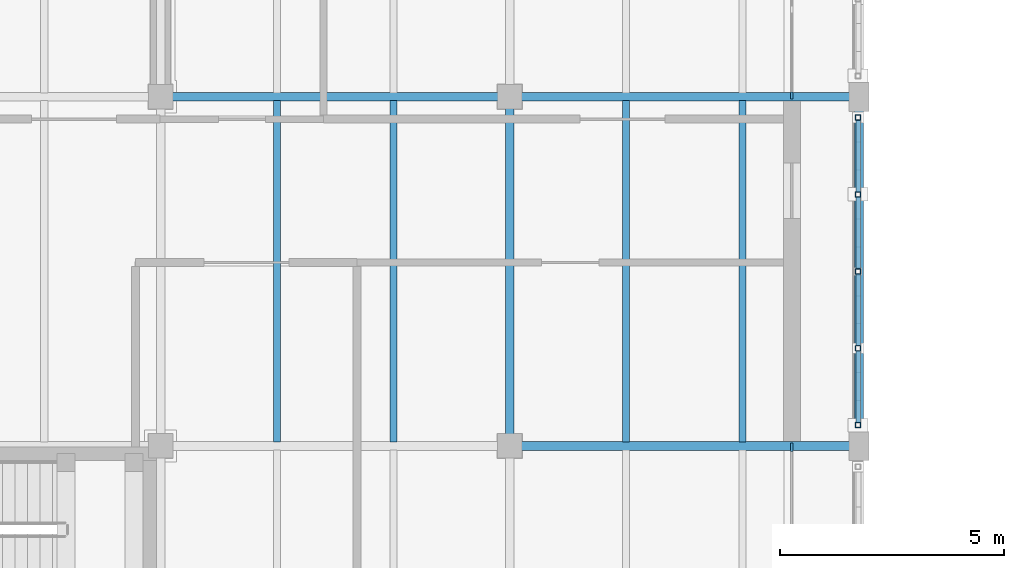
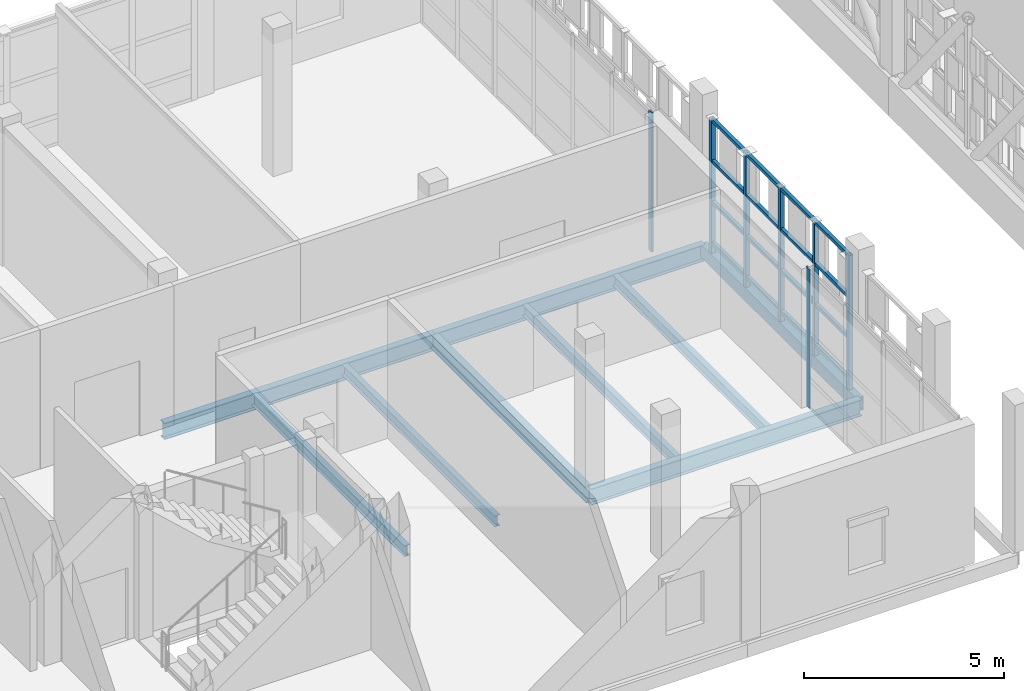
# One storey, part 21 of 119: 23 members, 9 beams, 2 elements without a shape of their own.
"""IFC4 building model written with IfcOpenShell, lengths in metres."""

from ifc_helpers import new_model, si_unit, direction, frame, origin, origin_2d, place, context, subcontext, project, spatial, rectangle, hollow_rectangle, i_section, extrude, material, layer, layer_set, material_profile, profile_set, type_object, element, aggregate, save


model = new_model("IFC4")

# Units and contexts
model_context = context("Model", 3, precision=1e-05, world=origin(), true_north=direction((0.0, 1.0)))
body_context = subcontext(model_context, "Body", "Model", "MODEL_VIEW")
ifc_project = project(units=[si_unit("LENGTHUNIT", "METRE"), si_unit("AREAUNIT", "SQUARE_METRE"), si_unit("VOLUMEUNIT", "CUBIC_METRE"), si_unit("PLANEANGLEUNIT", "RADIAN"), si_unit("MASSUNIT", "GRAM", prefix="KILO")], contexts=[model_context])

# Site, building, storey
site_placement = place(None, origin())
site = spatial("IfcSite", under=ifc_project, at=site_placement, CompositionType="ELEMENT")
building_placement = place(site_placement, origin())
building = spatial("IfcBuilding", under=site, at=building_placement, Name="Celorna Specialist Clinic", CompositionType="ELEMENT")
storey_placement = place(building_placement, frame((0.0, 0.0, 9.60009765625)))
storey = spatial("IfcBuildingStorey", under=building, at=storey_placement, Name="L02", CompositionType="ELEMENT", Elevation=9.60009765625)

# Beams
ifc_material_1 = material(Name="Steel S355", Category="steel")
ifc_material_profile_1 = material_profile(ifc_material_1, i_section(OverallWidth=0.199951171875, OverallDepth=0.5, WebThickness=0.01025390625, FlangeThickness=0.01611328125, at=origin_2d()), Name="IPE 500")
ifc_profile_set_1 = profile_set([ifc_material_profile_1], Name="Steel S355")
beam_type_1 = type_object("IfcBeamType", Name="BM-08", PredefinedType="BEAM", material=ifc_profile_set_1)
for number, where, z_axis, x_axis, name in (
    (1, (39.0, 7.800048828125, -0.510009765625), (1.0, 0.0, 0.0), (0.0, 1.0, 0.0), "Primary girder BM-08 #1721"),
    (2, (31.199951171875, 15.60009765625, -0.510009765625), (1.0, 0.0, 0.0), (0.0, 1.0, 0.0), "Primary girder BM-08 #1726"),
    (3, (39.0, 15.60009765625, -0.510009765625), (1.0, 0.0, 0.0), (0.0, 1.0, 0.0), "Primary girder BM-08 #1727"),
):
    element("IfcBeam", number, at=place(storey_placement, frame(where, z_axis=z_axis, x_axis=x_axis)), inside=storey, type_object=beam_type_1, Name=name, PredefinedType="BEAM", context=body_context, shape_type="SweptSolid", body=[
        extrude(i_section(OverallWidth=0.199951171875, OverallDepth=0.5, WebThickness=0.01025390625, FlangeThickness=0.01611328125, at=origin_2d()), origin(), (0.0, 0.0, 1.0), 7.800048828125),
    ])
ifc_material_profile_2 = material_profile(ifc_material_1, i_section(OverallWidth=0.18994140625, OverallDepth=0.449951171875, WebThickness=0.009521484375, FlangeThickness=0.0146484375, at=origin_2d()), Name="IPE 450")
ifc_profile_set_2 = profile_set([ifc_material_profile_2], Name="Steel S355")
beam_type_2 = type_object("IfcBeamType", Name="BM-09", PredefinedType="BEAM", material=ifc_profile_set_2)
beam_1_placement = place(storey_placement, frame((39.0, 7.800048828125, -0.485107421875), z_axis=(0.0, 1.0, 0.0), x_axis=(-1.0, 0.0, 0.0)))
element("IfcBeam", 4, at=beam_1_placement, inside=storey, type_object=beam_type_2, Name="Transverse girder BM-09 #1766", PredefinedType="BEAM", context=body_context, shape_type="SweptSolid", body=[
    extrude(i_section(OverallWidth=0.18994140625, OverallDepth=0.449951171875, WebThickness=0.009521484375, FlangeThickness=0.0146484375, at=origin_2d()), origin(), (0.0, 0.0, 1.0), 7.800048828125),
])
ifc_material_profile_3 = material_profile(ifc_material_1, i_section(OverallWidth=0.159912109375, OverallDepth=0.330078125, WebThickness=0.007568359375, FlangeThickness=0.011474609375, at=origin_2d()), Name="IPE 330")
ifc_profile_set_3 = profile_set([ifc_material_profile_3], Name="Steel S355")
beam_type_3 = type_object("IfcBeamType", Name="BM-12", PredefinedType="JOIST", material=ifc_profile_set_3)
for number, where, z_axis, x_axis, name in (
    (5, (33.800048828125, 7.887939453125, -0.425048828125), (0.0, 1.0, 0.0), (-1.0, 0.0, 0.0), "Secondary floor joist BM-12 #1809"),
    (6, (36.39990234375, 7.887939453125, -0.425048828125), (0.0, 1.0, 0.0), (-1.0, 0.0, 0.0), "Secondary floor joist BM-12 #1810"),
    (7, (41.60009765625, 7.887939453125, -0.425048828125), (0.0, 1.0, 0.0), (-1.0, 0.0, 0.0), "Secondary floor joist BM-12 #1819"),
    (8, (44.199951171875, 7.887939453125, -0.425048828125), (0.0, 1.0, 0.0), (-1.0, 0.0, 0.0), "Secondary floor joist BM-12 #1820"),
):
    element("IfcBeam", number, at=place(storey_placement, frame(where, z_axis=z_axis, x_axis=x_axis)), inside=storey, type_object=beam_type_3, Name=name, PredefinedType="JOIST", context=body_context, shape_type="SweptSolid", body=[
        extrude(i_section(OverallWidth=0.159912109375, OverallDepth=0.330078125, WebThickness=0.007568359375, FlangeThickness=0.011474609375, at=origin_2d()), origin(), (0.0, 0.0, 1.0), 7.6240234375),
    ])
ifc_material_profile_4 = material_profile(ifc_material_1, hollow_rectangle(XDim=0.199951171875, YDim=0.39990234375, WallThickness=0.011962890625, at=origin_2d()), Name="RHS 200x400x12")
ifc_profile_set_4 = profile_set([ifc_material_profile_4], Name="Steel S355")
beam_type_4 = type_object("IfcBeamType", Name="BM-15", PredefinedType="SPANDREL", material=ifc_profile_set_4)
beam_2_placement = place(storey_placement, frame((46.800048828125, 7.800048828125, -0.460205078125), z_axis=(0.0, 1.0, 0.0), x_axis=(-1.0, 0.0, 0.0)))
element("IfcBeam", 9, at=beam_2_placement, inside=storey, type_object=beam_type_4, Name="Spandrel beam BM-15 #1771", PredefinedType="SPANDREL", context=body_context, shape_type="SweptSolid", body=[
    extrude(hollow_rectangle(XDim=0.199951171875, YDim=0.39990234375, WallThickness=0.011962890625, at=origin_2d()), origin(), (0.0, 0.0, 1.0), 7.800048828125),
])

# Members
ifc_material_profile_5 = material_profile(ifc_material_1, hollow_rectangle(XDim=0.1201171875, YDim=0.1201171875, WallThickness=0.008056640625, at=origin_2d()), Name="SHS 120x120x8")
ifc_profile_set_5 = profile_set([ifc_material_profile_5], Name="Steel S355")
member_type_1 = type_object("IfcMemberType", Name="MB-11", PredefinedType="STUD", material=ifc_profile_set_5)
for number, where, z_axis, x_axis, name in (
    (10, (46.780029296875, 8.264892578125, -0.360107421875), (0.0, 0.0, 1.0), (1.0, 0.0, 0.0), "Perforated screen steel post #1678"),
    (11, (46.780029296875, 9.982421875, -0.360107421875), (0.0, 0.0, 1.0), (1.0, 0.0, 0.0), "Perforated screen steel post #1679"),
    (12, (46.780029296875, 11.699951171875, -0.360107421875), (0.0, 0.0, 1.0), (1.0, 0.0, 0.0), "Perforated screen steel post #1680"),
    (13, (46.780029296875, 13.41748046875, -0.360107421875), (0.0, 0.0, 1.0), (1.0, 0.0, 0.0), "Perforated screen steel post #1681"),
    (14, (46.780029296875, 15.135009765625, -0.360107421875), (0.0, 0.0, 1.0), (1.0, 0.0, 0.0), "Perforated screen steel post #1682"),
):
    element("IfcMember", number, at=place(storey_placement, frame(where, z_axis=z_axis, x_axis=x_axis)), inside=storey, type_object=member_type_1, Name=name, PredefinedType="STUD", context=body_context, shape_type="SweptSolid", body=[
        extrude(hollow_rectangle(XDim=0.1201171875, YDim=0.1201171875, WallThickness=0.008056640625, at=origin_2d()), origin(), (0.0, 0.0, 1.0), 4.199951171875),
    ])
ifc_material_profile_6 = material_profile(ifc_material_1, hollow_rectangle(XDim=0.10009765625, YDim=0.10009765625, WallThickness=0.006103515625, at=origin_2d()), Name="SHS 100x100x6")
ifc_profile_set_6 = profile_set([ifc_material_profile_6], Name="Steel S355")
member_type_2 = type_object("IfcMemberType", Name="MB-12", PredefinedType="STUD", material=ifc_profile_set_6)
for number, where, z_axis, x_axis, name in (
    (15, (46.780029296875, 8.324951171875, 0.0498046875), (0.0, 1.0, 0.0), (-1.0, 0.0, 0.0), "Perforated screen rail #1683"),
    (16, (46.780029296875, 8.324951171875, 1.296630859375), (0.0, 1.0, 0.0), (-1.0, 0.0, 0.0), "Perforated screen rail #1684"),
    (17, (46.780029296875, 8.324951171875, 2.543212890625), (0.0, 1.0, 0.0), (-1.0, 0.0, 0.0), "Perforated screen rail #1685"),
    (18, (46.780029296875, 8.324951171875, 3.789794921875), (0.0, 1.0, 0.0), (-1.0, 0.0, 0.0), "Perforated screen rail #1686"),
):
    element("IfcMember", number, at=place(storey_placement, frame(where, z_axis=z_axis, x_axis=x_axis)), inside=storey, type_object=member_type_2, Name=name, PredefinedType="STUD", context=body_context, shape_type="SweptSolid", body=[
        extrude(hollow_rectangle(XDim=0.10009765625, YDim=0.10009765625, WallThickness=0.006103515625, at=origin_2d()), origin(), (0.0, 0.0, 1.0), 1.59765625),
    ])
for number, where, z_axis, x_axis, name in (
    (19, (46.780029296875, 10.04248046875, 0.0498046875), (0.0, 1.0, 0.0), (-1.0, 0.0, 0.0), "Perforated screen rail #1687"),
    (20, (46.780029296875, 10.04248046875, 1.296630859375), (0.0, 1.0, 0.0), (-1.0, 0.0, 0.0), "Perforated screen rail #1688"),
    (21, (46.780029296875, 10.04248046875, 2.543212890625), (0.0, 1.0, 0.0), (-1.0, 0.0, 0.0), "Perforated screen rail #1689"),
    (22, (46.780029296875, 10.04248046875, 3.789794921875), (0.0, 1.0, 0.0), (-1.0, 0.0, 0.0), "Perforated screen rail #1690"),
    (23, (46.780029296875, 11.760009765625, 0.0498046875), (0.0, 1.0, 0.0), (-1.0, 0.0, 0.0), "Perforated screen rail #1691"),
    (24, (46.780029296875, 11.760009765625, 1.296630859375), (0.0, 1.0, 0.0), (-1.0, 0.0, 0.0), "Perforated screen rail #1692"),
    (25, (46.780029296875, 11.760009765625, 2.543212890625), (0.0, 1.0, 0.0), (-1.0, 0.0, 0.0), "Perforated screen rail #1693"),
    (26, (46.780029296875, 11.760009765625, 3.789794921875), (0.0, 1.0, 0.0), (-1.0, 0.0, 0.0), "Perforated screen rail #1694"),
    (27, (46.780029296875, 13.4775390625, 0.0498046875), (0.0, 1.0, 0.0), (-1.0, 0.0, 0.0), "Perforated screen rail #1695"),
    (28, (46.780029296875, 13.4775390625, 1.296630859375), (0.0, 1.0, 0.0), (-1.0, 0.0, 0.0), "Perforated screen rail #1696"),
    (29, (46.780029296875, 13.4775390625, 2.543212890625), (0.0, 1.0, 0.0), (-1.0, 0.0, 0.0), "Perforated screen rail #1697"),
    (30, (46.780029296875, 13.4775390625, 3.789794921875), (0.0, 1.0, 0.0), (-1.0, 0.0, 0.0), "Perforated screen rail #1698"),
):
    element("IfcMember", number, at=place(storey_placement, frame(where, z_axis=z_axis, x_axis=x_axis)), inside=storey, type_object=member_type_2, Name=name, PredefinedType="STUD", context=body_context, shape_type="SweptSolid", body=[
        extrude(hollow_rectangle(XDim=0.10009765625, YDim=0.10009765625, WallThickness=0.006103515625, at=origin_2d()), origin(), (0.0, 0.0, 1.0), 1.597412109375),
    ])

# Curtain wall, member
ifc_material_2 = material(Name="Thermally broken aluminium and solar-control glass curtain wall", Category="aluminium")
ifc_layer_1 = layer(ifc_material_2, 0.159912109375, Name="Thermally broken aluminium and solar-control glass curtain wall")
ifc_layer_set_1 = layer_set([ifc_layer_1], Name="Thermally broken aluminium and solar-control glass curtain wall")
curtain_wall_type_1 = type_object("IfcCurtainWallType", Name="CW-68", PredefinedType="NOTDEFINED", material=ifc_layer_set_1)
curtain_wall_1_placement = place(storey_placement, origin())
curtain_wall_1 = element("IfcCurtainWall", 31, at=curtain_wall_1_placement, inside=storey, type_object=curtain_wall_type_1, Name="Curtain wall CW-68 #168", PredefinedType="NOTDEFINED")
ifc_material_3 = material(Name="Anodized aluminium mullion", Category="aluminium")
ifc_material_profile_7 = material_profile(ifc_material_3, rectangle(XDim=0.050048828125, YDim=0.159912109375, at=origin_2d()), Name="ALU MULLION 50x160")
ifc_profile_set_7 = profile_set([ifc_material_profile_7], Name="Anodized aluminium mullion")
member_type_3 = type_object("IfcMemberType", Name="ML-01", PredefinedType="MULLION", material=ifc_profile_set_7)
member_1_placement = place(storey_placement, frame((45.300048828125, 15.62890625, 0.0), z_axis=(0.0, 0.0, 1.0), x_axis=(1.0, 0.0, 0.0)))
member_1 = element("IfcMember", 32, at=member_1_placement, type_object=member_type_3, Name="CW-68 mullion 5", PredefinedType="MULLION", context=body_context, shape_type="SweptSolid", body=[
    extrude(rectangle(XDim=0.050048828125, YDim=0.159912109375, at=origin_2d()), origin(), (0.0, 0.0, 1.0), 4.239990234375),
])
aggregate(curtain_wall_1, [member_1])

ifc_layer_2 = layer(ifc_material_2, 0.159912109375, Name="Thermally broken aluminium and solar-control glass curtain wall")
ifc_layer_set_2 = layer_set([ifc_layer_2], Name="Thermally broken aluminium and solar-control glass curtain wall")
curtain_wall_type_2 = type_object("IfcCurtainWallType", Name="CW-92", PredefinedType="NOTDEFINED", material=ifc_layer_set_2)
curtain_wall_2_placement = place(storey_placement, origin())
curtain_wall_2 = element("IfcCurtainWall", 33, at=curtain_wall_2_placement, inside=storey, type_object=curtain_wall_type_2, Name="Curtain wall CW-92 #167", PredefinedType="NOTDEFINED")
ifc_material_profile_8 = material_profile(ifc_material_3, rectangle(XDim=0.050048828125, YDim=0.179931640625, at=origin_2d()), Name="ALU MULLION 50x180")
ifc_profile_set_8 = profile_set([ifc_material_profile_8], Name="Anodized aluminium mullion")
member_type_4 = type_object("IfcMemberType", Name="ML-02", PredefinedType="MULLION", material=ifc_profile_set_8)
member_2_placement = place(storey_placement, frame((45.300048828125, 7.77099609375, 0.0), z_axis=(0.0, 0.0, 1.0), x_axis=(1.0, 0.0, 0.0)))
member_2 = element("IfcMember", 34, at=member_2_placement, type_object=member_type_4, Name="CW-92 mullion 1", PredefinedType="MULLION", context=body_context, shape_type="SweptSolid", body=[
    extrude(rectangle(XDim=0.050048828125, YDim=0.179931640625, at=origin_2d()), origin(), (0.0, 0.0, 1.0), 4.239990234375),
])
aggregate(curtain_wall_2, [member_2])

save(model, "model.ifc")
